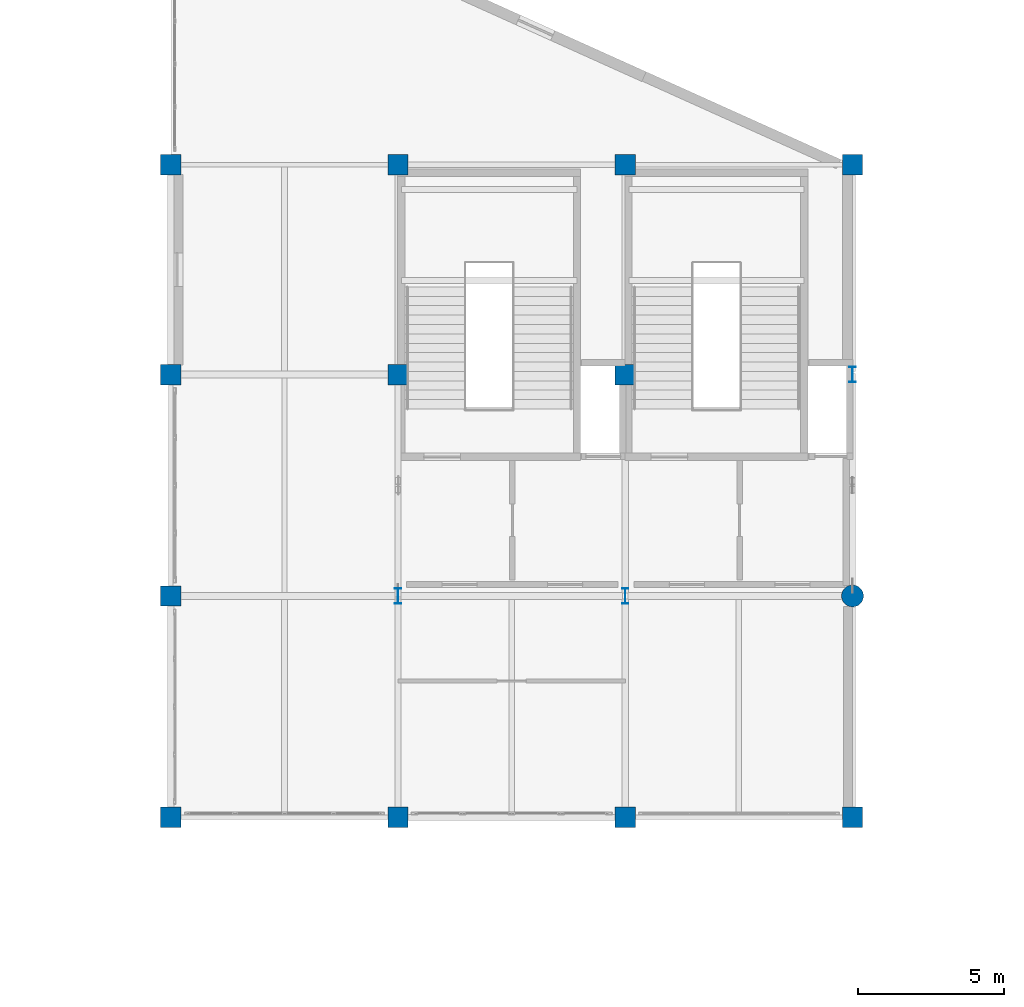
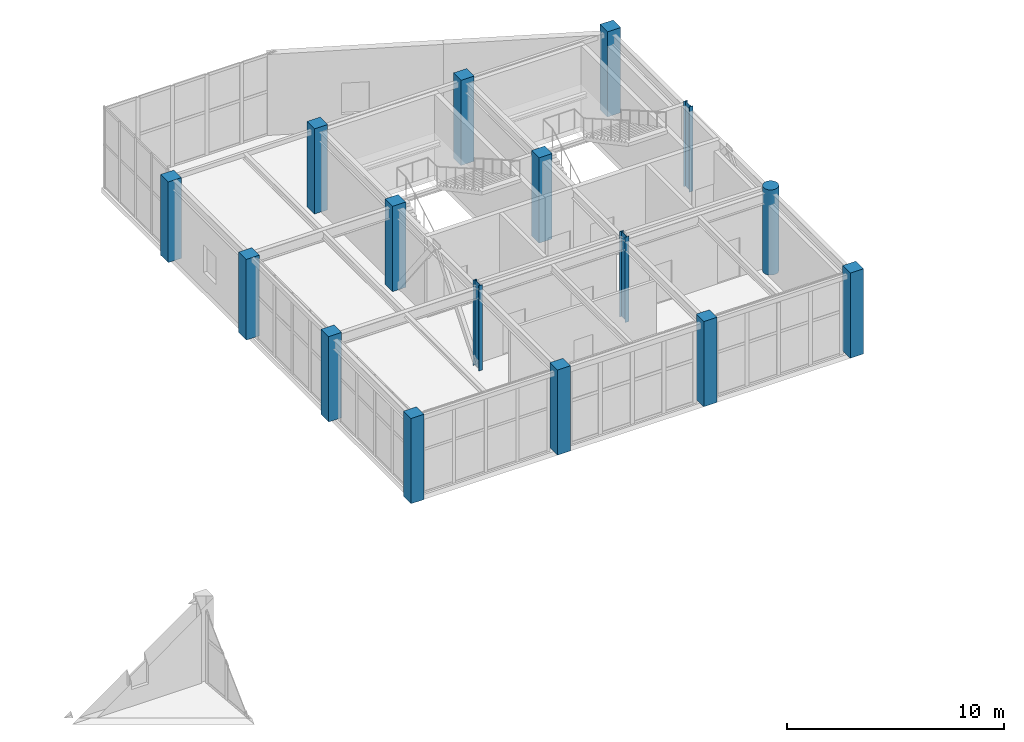
# One storey, part 8 of 72: 16 columns.
"""IFC4 building model written with IfcOpenShell, lengths in metres."""

from ifc_helpers import new_model, si_unit, direction, frame, origin, origin_2d, place, context, subcontext, project, spatial, rectangle, circle, i_section, extrude, material, material_profile, profile_set, type_object, element, save


model = new_model("IFC4")

# Units and contexts
model_context = context("Model", 3, precision=1e-05, world=origin(), true_north=direction((0.0, 1.0)))
body_context = subcontext(model_context, "Body", "Model", "MODEL_VIEW")
ifc_project = project(units=[si_unit("LENGTHUNIT", "METRE"), si_unit("AREAUNIT", "SQUARE_METRE"), si_unit("VOLUMEUNIT", "CUBIC_METRE"), si_unit("PLANEANGLEUNIT", "RADIAN"), si_unit("MASSUNIT", "GRAM", prefix="KILO")], contexts=[model_context])

# Site, building, storey
site_placement = place(None, origin())
site = spatial("IfcSite", under=ifc_project, at=site_placement, CompositionType="ELEMENT")
building_placement = place(site_placement, origin())
building = spatial("IfcBuilding", under=site, at=building_placement, Name="Xicomal Pleat Aquarium", CompositionType="ELEMENT")
storey_placement = place(building_placement, frame((0.0, 0.0, 10.5)))
storey = spatial("IfcBuildingStorey", under=building, at=storey_placement, Name="L03", CompositionType="ELEMENT", Elevation=10.5)

# Columns
ifc_material_1 = material(Name="Concrete C40/50", Category="concrete")
ifc_material_profile_1 = material_profile(ifc_material_1, rectangle(XDim=0.699951171875, YDim=0.699951171875, at=origin_2d()), Name="RC 700x700")
ifc_profile_set_1 = profile_set([ifc_material_profile_1], Name="Concrete C40/50")
column_type_1 = type_object("IfcColumnType", Name="COL-RC-700x700", PredefinedType="COLUMN", material=ifc_profile_set_1)
for number, where, z_axis, x_axis, name in (
    (1, (133.800048828125, 76.0, 0.0), (0.0, 0.0, 1.0), (1.0, 0.0, 0.0), "L03 column 17/L"),
    (2, (133.800048828125, 83.60009765625, 0.0), (0.0, 0.0, 1.0), (1.0, 0.0, 0.0), "L03 column 17/M"),
):
    element("IfcColumn", number, at=place(storey_placement, frame(where, z_axis=z_axis, x_axis=x_axis)), inside=storey, type_object=column_type_1, Name=name, PredefinedType="COLUMN", context=body_context, shape_type="SweptSolid", body=[
        extrude(rectangle(XDim=0.699951171875, YDim=0.699951171875, at=origin_2d()), origin(), (0.0, 0.0, 1.0), 4.800048828125),
    ])
for number, where, z_axis, x_axis, name in (
    (3, (133.800048828125, 91.199951171875, 0.0), (0.0, 0.0, 1.0), (1.0, 0.0, 0.0), "L03 column 17/N"),
    (4, (133.800048828125, 98.39990234375, 0.0), (0.0, 0.0, 1.0), (1.0, 0.0, 0.0), "L03 column 17/P"),
):
    element("IfcColumn", number, at=place(storey_placement, frame(where, z_axis=z_axis, x_axis=x_axis)), inside=storey, type_object=column_type_1, Name=name, PredefinedType="COLUMN", context=body_context, shape_type="SweptSolid", body=[
        extrude(rectangle(XDim=0.699951171875, YDim=0.699951171875, at=origin_2d()), origin(), (0.0, 0.0, 1.0), 4.5400390625),
    ])
for number, where, z_axis, x_axis, name in (
    (5, (141.60009765625, 76.0, 0.0), (0.0, 0.0, 1.0), (1.0, 0.0, 0.0), "L03 column 18/L"),
    (6, (141.60009765625, 91.199951171875, 0.0), (0.0, 0.0, 1.0), (1.0, 0.0, 0.0), "L03 column 18/N"),
    (7, (141.60009765625, 98.39990234375, 0.0), (0.0, 0.0, 1.0), (1.0, 0.0, 0.0), "L03 column 18/P"),
    (8, (149.39990234375, 76.0, 0.0), (0.0, 0.0, 1.0), (1.0, 0.0, 0.0), "L03 column 19/L"),
    (9, (149.39990234375, 91.199951171875, 0.0), (0.0, 0.0, 1.0), (1.0, 0.0, 0.0), "L03 column 19/N"),
    (10, (149.39990234375, 98.39990234375, 0.0), (0.0, 0.0, 1.0), (1.0, 0.0, 0.0), "L03 column 19/P"),
    (11, (157.199951171875, 76.0, 0.0), (0.0, 0.0, 1.0), (1.0, 0.0, 0.0), "L03 column 20/L"),
    (12, (157.199951171875, 98.39990234375, 0.0), (0.0, 0.0, 1.0), (1.0, 0.0, 0.0), "L03 column 20/P"),
):
    element("IfcColumn", number, at=place(storey_placement, frame(where, z_axis=z_axis, x_axis=x_axis)), inside=storey, type_object=column_type_1, Name=name, PredefinedType="COLUMN", context=body_context, shape_type="SweptSolid", body=[
        extrude(rectangle(XDim=0.699951171875, YDim=0.699951171875, at=origin_2d()), origin(), (0.0, 0.0, 1.0), 4.800048828125),
    ])
ifc_material_2 = material(Name="Concrete C40/50", Category="concrete")
ifc_material_profile_2 = material_profile(ifc_material_2, circle(Radius=0.375, at=origin_2d()), Name="RCC D750")
ifc_profile_set_2 = profile_set([ifc_material_profile_2], Name="Concrete C40/50")
column_type_2 = type_object("IfcColumnType", Name="COL-RCC-D750", PredefinedType="COLUMN", material=ifc_profile_set_2)
column_placement = place(storey_placement, frame((157.199951171875, 83.60009765625, 0.0), z_axis=(0.0, 0.0, 1.0), x_axis=(1.0, 0.0, 0.0)))
element("IfcColumn", 13, at=column_placement, inside=storey, type_object=column_type_2, Name="L03 column 20/M", PredefinedType="COLUMN", context=body_context, shape_type="SweptSolid", body=[
    extrude(circle(Radius=0.375, at=origin_2d()), origin(), (0.0, 0.0, 1.0), 4.800048828125),
])
ifc_material_3 = material(Name="Structural steel A992 Gr 50", Category="steel")
ifc_material_profile_3 = material_profile(ifc_material_3, i_section(OverallWidth=0.2119140625, OverallDepth=0.5439453125, WebThickness=0.01318359375, FlangeThickness=0.021240234375, at=origin_2d()), Name="IR 530x123")
ifc_profile_set_3 = profile_set([ifc_material_profile_3], Name="Structural steel A992 Gr 50")
column_type_3 = type_object("IfcColumnType", Name="COL-STL-IR530", PredefinedType="COLUMN", material=ifc_profile_set_3)
for number, where, z_axis, x_axis, name in (
    (14, (141.60009765625, 83.60009765625, 0.0), (0.0, 0.0, 1.0), (1.0, 0.0, 0.0), "L03 column 18/M"),
    (15, (149.39990234375, 83.60009765625, 0.0), (0.0, 0.0, 1.0), (1.0, 0.0, 0.0), "L03 column 19/M"),
    (16, (157.199951171875, 91.199951171875, 0.0), (0.0, 0.0, 1.0), (1.0, 0.0, 0.0), "L03 column 20/N"),
):
    element("IfcColumn", number, at=place(storey_placement, frame(where, z_axis=z_axis, x_axis=x_axis)), inside=storey, type_object=column_type_3, Name=name, PredefinedType="COLUMN", context=body_context, shape_type="SweptSolid", body=[
        extrude(i_section(OverallWidth=0.2119140625, OverallDepth=0.5439453125, WebThickness=0.01318359375, FlangeThickness=0.021240234375, at=origin_2d()), origin(), (0.0, 0.0, 1.0), 4.800048828125),
    ])

save(model, "model.ifc")
